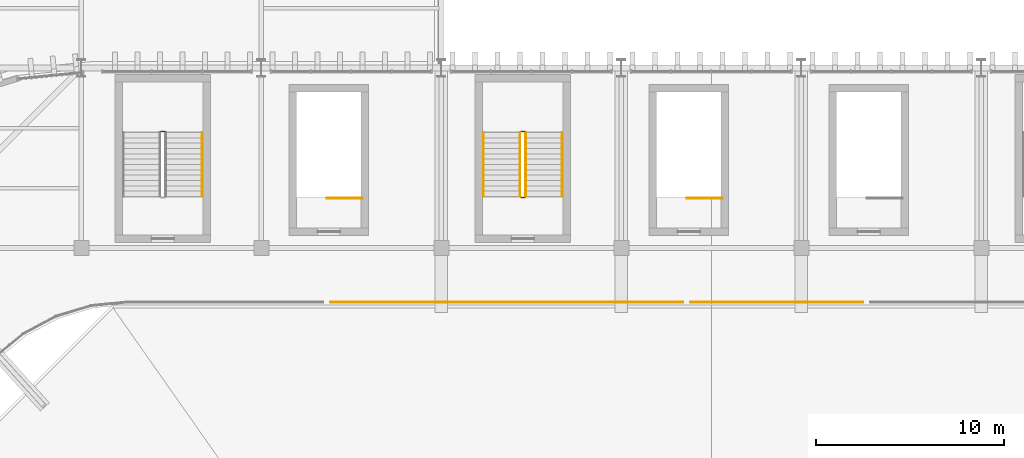
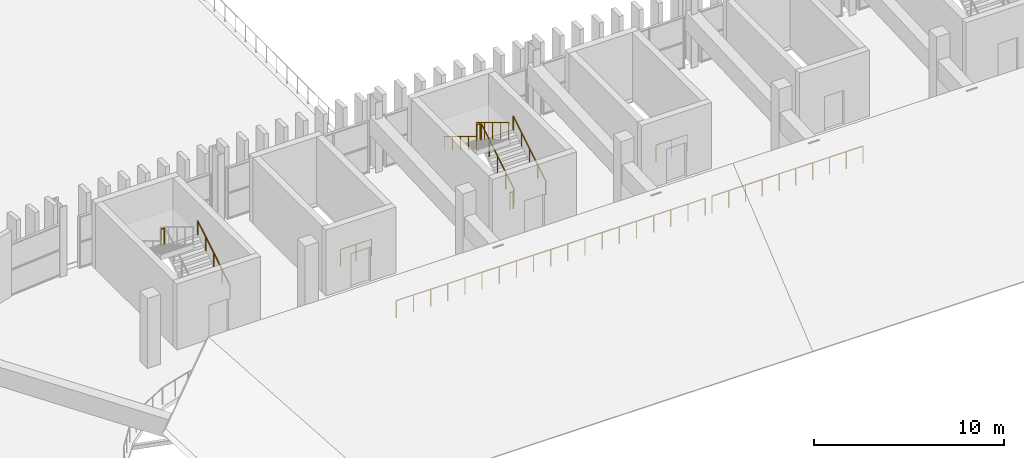
# One storey, part 64 of 69: 12 railings.
"""IFC4 building model written with IfcOpenShell, lengths in metres."""

from ifc_helpers import new_model, si_unit, direction, frame, origin, origin_2d, place, context, subcontext, project, spatial, circle, extrude, material, type_object, element, save


model = new_model("IFC4")

# Units and contexts
model_context = context("Model", 3, precision=1e-05, world=origin(), true_north=direction((0.0, 1.0)))
body_context = subcontext(model_context, "Body", "Model", "MODEL_VIEW")
ifc_project = project(units=[si_unit("LENGTHUNIT", "METRE"), si_unit("AREAUNIT", "SQUARE_METRE"), si_unit("VOLUMEUNIT", "CUBIC_METRE"), si_unit("PLANEANGLEUNIT", "RADIAN"), si_unit("MASSUNIT", "GRAM", prefix="KILO")], contexts=[model_context])

# Site, building, storey
site_placement = place(None, origin())
site = spatial("IfcSite", under=ifc_project, at=site_placement, CompositionType="ELEMENT")
building_placement = place(site_placement, origin())
building = spatial("IfcBuilding", under=site, at=building_placement, Name="Caelomonte Colonnade Arena", CompositionType="ELEMENT")
storey_placement = place(building_placement, frame((0.0, 0.0, 18.60009765625)))
storey = spatial("IfcBuildingStorey", under=building, at=storey_placement, Name="L04", CompositionType="ELEMENT", Elevation=18.60009765625)

# Railings
ifc_material_1 = material(Name="Painted galvanized steel handrail and posts", Category="steel")
railing_type_1 = type_object("IfcRailingType", Name="ENV-RL-GRD1", PredefinedType="GUARDRAIL", material=ifc_material_1)
railing_1_placement = place(storey_placement, frame((118.4931640625, 102.719970703125, 0.0)))
element("IfcRailing", 1, at=railing_1_placement, inside=storey, type_object=railing_type_1, Name="L04 upper concourse bowl guard 3", PredefinedType="GUARDRAIL", context=body_context, shape_type="SweptSolid", body=[
    extrude(circle(Radius=0.02392578125, at=origin_2d()), frame((0.0, 0.0, 1.076171875), z_axis=(-1.0, 0.0, 0.0), x_axis=(0.0, -1.0, 0.0)), (0.0, 0.0, 1.0), 9.186279296875),
    extrude(circle(Radius=0.02099609375, at=origin_2d()), origin(), (0.0, 0.0, 1.0), 1.048095703125),
    extrude(circle(Radius=0.02099609375, at=origin_2d()), frame((-1.020751953125, 0.0, 0.0)), (0.0, 0.0, 1.0), 1.048095703125),
    extrude(circle(Radius=0.02099609375, at=origin_2d()), frame((-2.04150390625, 0.0, 0.0)), (0.0, 0.0, 1.0), 1.048095703125),
    extrude(circle(Radius=0.02099609375, at=origin_2d()), frame((-3.06201171875, 0.0, 0.0)), (0.0, 0.0, 1.0), 1.048095703125),
    extrude(circle(Radius=0.02099609375, at=origin_2d()), frame((-4.082763671875, 0.0, 0.0)), (0.0, 0.0, 1.0), 1.048095703125),
    extrude(circle(Radius=0.02099609375, at=origin_2d()), frame((-5.103515625, 0.0, 0.0)), (0.0, 0.0, 1.0), 1.048095703125),
    extrude(circle(Radius=0.02099609375, at=origin_2d()), frame((-6.124267578125, 0.0, 0.0)), (0.0, 0.0, 1.0), 1.048095703125),
    extrude(circle(Radius=0.02099609375, at=origin_2d()), frame((-7.144775390625, 0.0, 0.0)), (0.0, 0.0, 1.0), 1.048095703125),
    extrude(circle(Radius=0.02099609375, at=origin_2d()), frame((-8.16552734375, 0.0, 0.0)), (0.0, 0.0, 1.0), 1.048095703125),
    extrude(circle(Radius=0.02099609375, at=origin_2d()), frame((-9.186279296875, 0.0, 0.0)), (0.0, 0.0, 1.0), 1.048095703125),
])
railing_2_placement = place(storey_placement, frame((108.89306640625, 102.719970703125, 0.0)))
element("IfcRailing", 2, at=railing_2_placement, inside=storey, type_object=railing_type_1, Name="L04 upper concourse bowl guard 4", PredefinedType="GUARDRAIL", context=body_context, shape_type="SweptSolid", body=[
    extrude(circle(Radius=0.02392578125, at=origin_2d()), frame((0.0, 0.0, 1.076171875), z_axis=(-1.0, 0.0, 0.0), x_axis=(0.0, -1.0, 0.0)), (0.0, 0.0, 1.0), 18.7861328125),
    extrude(circle(Radius=0.02099609375, at=origin_2d()), origin(), (0.0, 0.0, 1.0), 1.048095703125),
    extrude(circle(Radius=0.02099609375, at=origin_2d()), frame((-1.043701171875, 0.0, 0.0)), (0.0, 0.0, 1.0), 1.048095703125),
    extrude(circle(Radius=0.02099609375, at=origin_2d()), frame((-2.08740234375, 0.0, 0.0)), (0.0, 0.0, 1.0), 1.048095703125),
    extrude(circle(Radius=0.02099609375, at=origin_2d()), frame((-3.131103515625, 0.0, 0.0)), (0.0, 0.0, 1.0), 1.048095703125),
    extrude(circle(Radius=0.02099609375, at=origin_2d()), frame((-4.1748046875, 0.0, 0.0)), (0.0, 0.0, 1.0), 1.048095703125),
    extrude(circle(Radius=0.02099609375, at=origin_2d()), frame((-5.21826171875, 0.0, 0.0)), (0.0, 0.0, 1.0), 1.048095703125),
    extrude(circle(Radius=0.02099609375, at=origin_2d()), frame((-6.261962890625, 0.0, 0.0)), (0.0, 0.0, 1.0), 1.048095703125),
    extrude(circle(Radius=0.02099609375, at=origin_2d()), frame((-7.3056640625, 0.0, 0.0)), (0.0, 0.0, 1.0), 1.048095703125),
    extrude(circle(Radius=0.02099609375, at=origin_2d()), frame((-8.349365234375, 0.0, 0.0)), (0.0, 0.0, 1.0), 1.048095703125),
    extrude(circle(Radius=0.02099609375, at=origin_2d()), frame((-9.39306640625, 0.0, 0.0)), (0.0, 0.0, 1.0), 1.048095703125),
    extrude(circle(Radius=0.02099609375, at=origin_2d()), frame((-10.436767578125, 0.0, 0.0)), (0.0, 0.0, 1.0), 1.048095703125),
    extrude(circle(Radius=0.02099609375, at=origin_2d()), frame((-11.48046875, 0.0, 0.0)), (0.0, 0.0, 1.0), 1.048095703125),
    extrude(circle(Radius=0.02099609375, at=origin_2d()), frame((-12.524169921875, 0.0, 0.0)), (0.0, 0.0, 1.0), 1.048095703125),
    extrude(circle(Radius=0.02099609375, at=origin_2d()), frame((-13.56787109375, 0.0, 0.0)), (0.0, 0.0, 1.0), 1.048095703125),
    extrude(circle(Radius=0.02099609375, at=origin_2d()), frame((-14.611328125, 0.0, 0.0)), (0.0, 0.0, 1.0), 1.048095703125),
    extrude(circle(Radius=0.02099609375, at=origin_2d()), frame((-15.655029296875, 0.0, 0.0)), (0.0, 0.0, 1.0), 1.048095703125),
    extrude(circle(Radius=0.02099609375, at=origin_2d()), frame((-16.69873046875, 0.0, 0.0)), (0.0, 0.0, 1.0), 1.048095703125),
    extrude(circle(Radius=0.02099609375, at=origin_2d()), frame((-17.742431640625, 0.0, 0.0)), (0.0, 0.0, 1.0), 1.048095703125),
    extrude(circle(Radius=0.02099609375, at=origin_2d()), frame((-18.7861328125, 0.0, 0.0)), (0.0, 0.0, 1.0), 1.048095703125),
])
ifc_material_2 = material(Name="Painted galvanized steel stair guard", Category="steel")
railing_type_2 = type_object("IfcRailingType", Name="INT-RL-GRD", PredefinedType="GUARDRAIL", material=ifc_material_2)
railing_3_placement = place(storey_placement, frame((81.25, 111.820068359375, 2.25)))
element("IfcRailing", 3, at=railing_3_placement, inside=storey, type_object=railing_type_2, Name="L04 ST-14 stair guard 2", PredefinedType="GUARDRAIL", context=body_context, shape_type="SweptSolid", body=[
    extrude(circle(Radius=0.02392578125, at=origin_2d()), frame((0.0, 0.0, 1.076171875), z_axis=(-1.0, 0.0, 0.0), x_axis=(0.0, -1.0, 0.0)), (0.0, 0.0, 1.0), 0.199951171875),
    extrude(circle(Radius=0.02099609375, at=origin_2d()), origin(), (0.0, 0.0, 1.0), 1.048095703125),
    extrude(circle(Radius=0.02099609375, at=origin_2d()), frame((-0.199951171875, 0.0, 0.0)), (0.0, 0.0, 1.0), 1.048095703125),
])
railing_4_placement = place(storey_placement, frame((100.5, 108.35009765625, 0.173095703125)))
element("IfcRailing", 4, at=railing_4_placement, inside=storey, type_object=railing_type_2, Name="L04 ST-15 stair guard 1", PredefinedType="GUARDRAIL", context=body_context, shape_type="SweptSolid", body=[
    extrude(circle(Radius=0.02392578125, at=origin_2d()), frame((0.0, 0.0, 1.076171875), z_axis=(0.0, 0.854729506542, 0.519073665916), x_axis=(-1.0, 0.0, 0.0)), (0.0, 0.0, 1.0), 4.001220703125),
    extrude(circle(Radius=0.02099609375, at=origin_2d()), origin(), (0.0, 0.0, 1.0), 1.048095703125),
    extrude(circle(Radius=0.02099609375, at=origin_2d()), frame((0.0, 0.85498046875, 0.519287109375)), (0.0, 0.0, 1.0), 1.048095703125),
    extrude(circle(Radius=0.02099609375, at=origin_2d()), frame((0.0, 1.7099609375, 1.03857421875)), (0.0, 0.0, 1.0), 1.048095703125),
    extrude(circle(Radius=0.02099609375, at=origin_2d()), frame((0.0, 2.56494140625, 1.5576171875)), (0.0, 0.0, 1.0), 1.048095703125),
    extrude(circle(Radius=0.02099609375, at=origin_2d()), frame((0.0, 3.419921875, 2.076904296875)), (0.0, 0.0, 1.0), 1.048095703125),
])
railing_5_placement = place(storey_placement, frame((100.449951171875, 111.820068359375, 2.25)))
element("IfcRailing", 5, at=railing_5_placement, inside=storey, type_object=railing_type_2, Name="L04 ST-15 stair guard 2", PredefinedType="GUARDRAIL", context=body_context, shape_type="SweptSolid", body=[
    extrude(circle(Radius=0.02392578125, at=origin_2d()), frame((0.0, 0.0, 1.076171875), z_axis=(-1.0, 0.0, 0.0), x_axis=(0.0, -1.0, 0.0)), (0.0, 0.0, 1.0), 0.199951171875),
    extrude(circle(Radius=0.02099609375, at=origin_2d()), origin(), (0.0, 0.0, 1.0), 1.048095703125),
    extrude(circle(Radius=0.02099609375, at=origin_2d()), frame((-0.199951171875, 0.0, 0.0)), (0.0, 0.0, 1.0), 1.048095703125),
])
railing_6_placement = place(storey_placement, frame((100.199951171875, 111.77001953125, 2.423095703125)))
element("IfcRailing", 6, at=railing_6_placement, inside=storey, type_object=railing_type_2, Name="L04 ST-15 stair guard 3", PredefinedType="GUARDRAIL", context=body_context, shape_type="SweptSolid", body=[
    extrude(circle(Radius=0.02392578125, at=origin_2d()), frame((0.0, 0.0, 1.076171875), z_axis=(0.0, -0.854729506542, 0.519073665916), x_axis=(1.0, 0.0, 0.0)), (0.0, 0.0, 1.0), 4.001220703125),
    extrude(circle(Radius=0.02099609375, at=origin_2d()), origin(), (0.0, 0.0, 1.0), 1.048095703125),
    extrude(circle(Radius=0.02099609375, at=origin_2d()), frame((0.0, -0.85498046875, 0.519287109375)), (0.0, 0.0, 1.0), 1.048095703125),
    extrude(circle(Radius=0.02099609375, at=origin_2d()), frame((0.0, -1.7099609375, 1.03857421875)), (0.0, 0.0, 1.0), 1.048095703125),
    extrude(circle(Radius=0.02099609375, at=origin_2d()), frame((0.0, -2.56494140625, 1.5576171875)), (0.0, 0.0, 1.0), 1.048095703125),
    extrude(circle(Radius=0.02099609375, at=origin_2d()), frame((0.0, -3.419921875, 2.076904296875)), (0.0, 0.0, 1.0), 1.048095703125),
])
railing_7_placement = place(storey_placement, frame((100.449951171875, 108.300048828125, 0.0)))
element("IfcRailing", 7, at=railing_7_placement, inside=storey, type_object=railing_type_2, Name="L04 ST-15 stair guard 4", PredefinedType="GUARDRAIL", context=body_context, shape_type="SweptSolid", body=[
    extrude(circle(Radius=0.02392578125, at=origin_2d()), frame((0.0, 0.0, 1.076171875), z_axis=(-1.0, 0.0, 0.0), x_axis=(0.0, -1.0, 0.0)), (0.0, 0.0, 1.0), 0.199951171875),
    extrude(circle(Radius=0.02099609375, at=origin_2d()), origin(), (0.0, 0.0, 1.0), 1.048095703125),
    extrude(circle(Radius=0.02099609375, at=origin_2d()), frame((-0.199951171875, 0.0, 0.0)), (0.0, 0.0, 1.0), 1.048095703125),
])
railing_8_placement = place(storey_placement, frame((91.800048828125, 108.25, 0.0)))
element("IfcRailing", 8, at=railing_8_placement, inside=storey, type_object=railing_type_2, Name="L04 ST-V13 top well guard 1", PredefinedType="GUARDRAIL", context=body_context, shape_type="SweptSolid", body=[
    extrude(circle(Radius=0.02392578125, at=origin_2d()), frame((0.0, 0.0, 1.076171875), z_axis=(-1.0, 0.0, 0.0), x_axis=(0.0, -1.0, 0.0)), (0.0, 0.0, 1.0), 1.900146484375),
    extrude(circle(Radius=0.02099609375, at=origin_2d()), origin(), (0.0, 0.0, 1.0), 1.048095703125),
    extrude(circle(Radius=0.02099609375, at=origin_2d()), frame((-0.9501953125, 0.0, 0.0)), (0.0, 0.0, 1.0), 1.048095703125),
    extrude(circle(Radius=0.02099609375, at=origin_2d()), frame((-1.900146484375, 0.0, 0.0)), (0.0, 0.0, 1.0), 1.048095703125),
])
railing_9_placement = place(storey_placement, frame((111.0, 108.25, 0.0)))
element("IfcRailing", 9, at=railing_9_placement, inside=storey, type_object=railing_type_2, Name="L04 ST-V14 top well guard 1", PredefinedType="GUARDRAIL", context=body_context, shape_type="SweptSolid", body=[
    extrude(circle(Radius=0.02392578125, at=origin_2d()), frame((0.0, 0.0, 1.076171875), z_axis=(-1.0, 0.0, 0.0), x_axis=(0.0, -1.0, 0.0)), (0.0, 0.0, 1.0), 1.89990234375),
    extrude(circle(Radius=0.02099609375, at=origin_2d()), origin(), (0.0, 0.0, 1.0), 1.048095703125),
    extrude(circle(Radius=0.02099609375, at=origin_2d()), frame((-0.949951171875, 0.0, 0.0)), (0.0, 0.0, 1.0), 1.048095703125),
    extrude(circle(Radius=0.02099609375, at=origin_2d()), frame((-1.89990234375, 0.0, 0.0)), (0.0, 0.0, 1.0), 1.048095703125),
])
ifc_material_3 = material(Name="Brushed stainless steel stair handrail", Category="steel")
railing_type_3 = type_object("IfcRailingType", Name="INT-RL-HR", PredefinedType="HANDRAIL", material=ifc_material_3)
for number, where, name in (
    (10, (83.25, 108.35009765625, 0.173095703125), "L04 ST-14 stair handrail 1"),
    (11, (102.449951171875, 108.35009765625, 0.173095703125), "L04 ST-15 stair handrail 1"),
):
    element("IfcRailing", number, at=place(storey_placement, frame(where)), inside=storey, type_object=railing_type_3, Name=name, PredefinedType="HANDRAIL", context=body_context, shape_type="SweptSolid", body=[
        extrude(circle(Radius=0.02392578125, at=origin_2d()), frame((0.0, 0.0, 0.8759765625), z_axis=(0.0, 0.854729506542, 0.519073665916), x_axis=(-1.0, 0.0, 0.0)), (0.0, 0.0, 1.0), 4.001220703125),
        extrude(circle(Radius=0.02099609375, at=origin_2d()), origin(), (0.0, 0.0, 1.0), 0.847900390625),
        extrude(circle(Radius=0.02099609375, at=origin_2d()), frame((0.0, 0.85498046875, 0.519287109375)), (0.0, 0.0, 1.0), 0.847900390625),
        extrude(circle(Radius=0.02099609375, at=origin_2d()), frame((0.0, 1.7099609375, 1.03857421875)), (0.0, 0.0, 1.0), 0.847900390625),
        extrude(circle(Radius=0.02099609375, at=origin_2d()), frame((0.0, 2.56494140625, 1.5576171875)), (0.0, 0.0, 1.0), 0.847900390625),
        extrude(circle(Radius=0.02099609375, at=origin_2d()), frame((0.0, 3.419921875, 2.076904296875)), (0.0, 0.0, 1.0), 0.847900390625),
    ])
railing_10_placement = place(storey_placement, frame((98.25, 111.77001953125, 2.423095703125)))
element("IfcRailing", 12, at=railing_10_placement, inside=storey, type_object=railing_type_3, Name="L04 ST-15 stair handrail 2", PredefinedType="HANDRAIL", context=body_context, shape_type="SweptSolid", body=[
    extrude(circle(Radius=0.02392578125, at=origin_2d()), frame((0.0, 0.0, 0.8759765625), z_axis=(0.0, -0.854729506542, 0.519073665916), x_axis=(1.0, 0.0, 0.0)), (0.0, 0.0, 1.0), 4.001220703125),
    extrude(circle(Radius=0.02099609375, at=origin_2d()), origin(), (0.0, 0.0, 1.0), 0.847900390625),
    extrude(circle(Radius=0.02099609375, at=origin_2d()), frame((0.0, -0.85498046875, 0.519287109375)), (0.0, 0.0, 1.0), 0.847900390625),
    extrude(circle(Radius=0.02099609375, at=origin_2d()), frame((0.0, -1.7099609375, 1.03857421875)), (0.0, 0.0, 1.0), 0.847900390625),
    extrude(circle(Radius=0.02099609375, at=origin_2d()), frame((0.0, -2.56494140625, 1.5576171875)), (0.0, 0.0, 1.0), 0.847900390625),
    extrude(circle(Radius=0.02099609375, at=origin_2d()), frame((0.0, -3.419921875, 2.076904296875)), (0.0, 0.0, 1.0), 0.847900390625),
])

save(model, "model.ifc")
